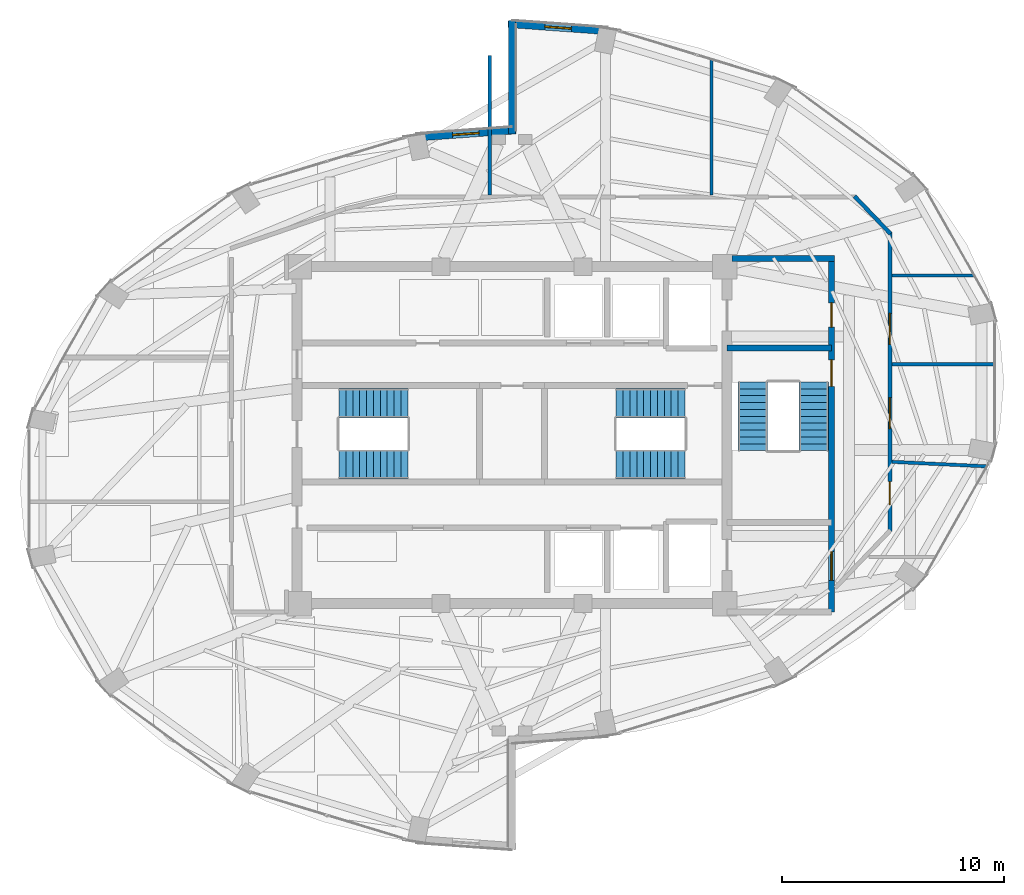
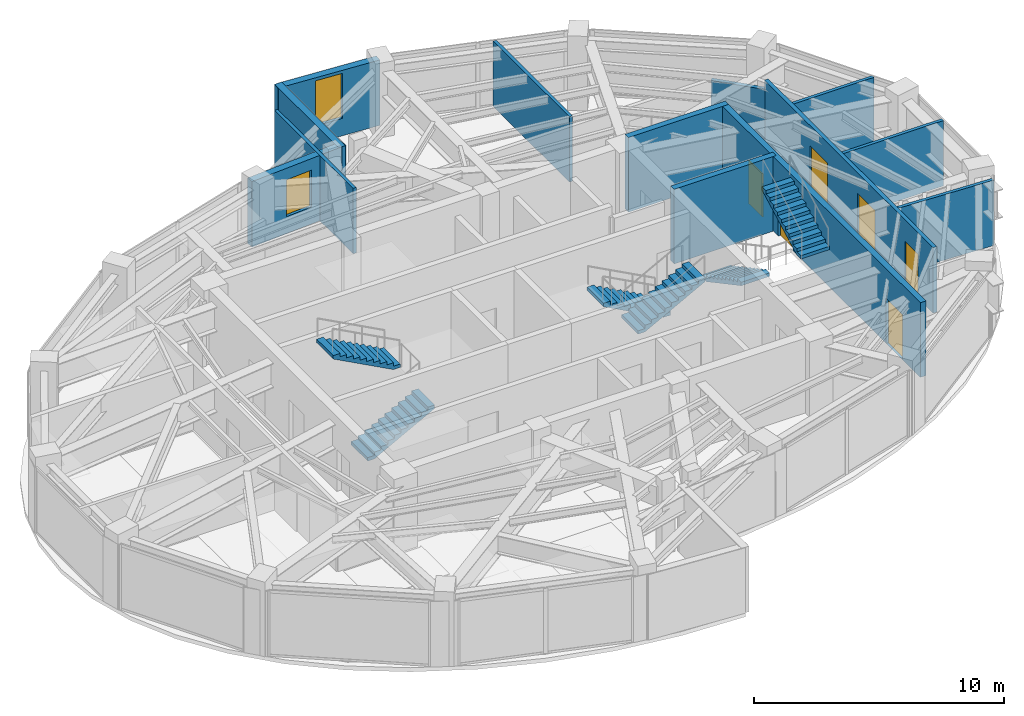
# One storey, part 21 of 23: 13 walls, 6 doors, 6 stair flights, 2 windows, 8 openings, 3 elements without a shape of their own.
"""IFC4 building model written with IfcOpenShell, lengths in metres."""

from ifc_helpers import new_model, si_unit, direction, frame, frame_2d, origin, place, context, subcontext, project, spatial, polyline, rectangle, outline, extrude, material, layer, layer_set, type_object, element, fill, aggregate, save


model = new_model("IFC4")

# Units and contexts
model_context = context("Model", 3, precision=1e-05, world=origin(), true_north=direction((0.0, 1.0)))
body_context = subcontext(model_context, "Body", "Model", "MODEL_VIEW")
ifc_project = project(units=[si_unit("LENGTHUNIT", "METRE"), si_unit("AREAUNIT", "SQUARE_METRE"), si_unit("VOLUMEUNIT", "CUBIC_METRE"), si_unit("PLANEANGLEUNIT", "RADIAN"), si_unit("MASSUNIT", "GRAM", prefix="KILO")], contexts=[model_context])

# Site, building, storey
site_placement = place(None, origin())
site = spatial("IfcSite", under=ifc_project, at=site_placement, CompositionType="ELEMENT")
building_placement = place(site_placement, origin())
building = spatial("IfcBuilding", under=site, at=building_placement, Name="Lazwardi Medical Tower", CompositionType="ELEMENT")
storey_placement = place(building_placement, frame((0.0, 0.0, 265.968017578125)))
storey = spatial("IfcBuildingStorey", under=building, at=storey_placement, Name="L69", CompositionType="ELEMENT", Elevation=265.968017578125)

# Wall
ifc_material_1 = material(Name="Fire-rated gypsum board on steel stud", Category="steel")
ifc_layer_1 = layer(ifc_material_1, 0.179931640625)
ifc_layer_set_1 = layer_set([ifc_layer_1], Name="Fire-rated gypsum board on steel stud")
wall_type_1 = type_object("IfcWallType", Name="WL-COR-180", PredefinedType="PARTITIONING", material=ifc_layer_set_1)
wall_1_placement = place(storey_placement, frame((51.45751953125, 38.77880859375, 0.0), z_axis=(0.0, 0.0, 1.0), x_axis=(0.691359830363, -0.722510612352, 0.0)))
element("IfcWall", 1, at=wall_1_placement, inside=storey, type_object=wall_type_1, Name="L69 Corridor partition 4", PredefinedType="PARTITIONING", context=body_context, shape_type="SweptSolid", body=[
    extrude(rectangle(XDim=2.34326171875, YDim=0.179931640625, at=frame_2d((1.171630859375, 0.0))), origin(), (0.0, 0.0, 1.0), 2.782958984375),
])

# Wall, openings, doors
wall_2_placement = place(storey_placement, frame((53.050048828125, 37.154541015625, 0.0), z_axis=(0.0, 0.0, 1.0), x_axis=(0.0, -1.0, 0.0)))
wall_2 = element("IfcWall", 2, at=wall_2_placement, inside=storey, type_object=wall_type_1, Name="L69 Corridor partition 5", PredefinedType="PARTITIONING", context=body_context, shape_type="SweptSolid", body=[
    extrude(rectangle(XDim=13.509033203125, YDim=0.179931640625, at=frame_2d((6.75439453125, 0.0))), origin(), (0.0, 0.0, 1.0), 3.197998046875),
])
opening_1_placement = place(wall_2_placement, frame((11.24951171875, 0.0, 0.0)))
opening_1 = element("IfcOpeningElement", 3, at=opening_1_placement, cuts=wall_2, Name="Opening D-L69-009", PredefinedType="OPENING", context=body_context, shape_type="SweptSolid", body=[
    extrude(rectangle(XDim=1.050048828125, YDim=2.14990234375, at=frame_2d((0.52490234375, 1.074951171875))), frame((0.0, 0.099853515625, 0.0), z_axis=(0.0, -1.0, 0.0), x_axis=(1.0, 0.0, 0.0)), (0.0, 0.0, 1.0), 0.199951171875),
])
opening_2_placement = place(wall_2_placement, frame((7.45654296875, 0.0, 0.0)))
opening_2 = element("IfcOpeningElement", 4, at=opening_2_placement, cuts=wall_2, Name="Opening D-L69-010", PredefinedType="OPENING", context=body_context, shape_type="SweptSolid", body=[
    extrude(rectangle(XDim=1.39990234375, YDim=2.199951171875, at=frame_2d((0.699951171875, 1.10009765625))), frame((0.0, 0.099853515625, 0.0), z_axis=(0.0, -1.0, 0.0), x_axis=(1.0, 0.0, 0.0)), (0.0, 0.0, 1.0), 0.199951171875),
])
opening_3_placement = place(wall_2_placement, frame((3.654541015625, 0.0, 0.0)))
opening_3 = element("IfcOpeningElement", 5, at=opening_3_placement, cuts=wall_2, Name="Opening D-L69-011", PredefinedType="OPENING", context=body_context, shape_type="SweptSolid", body=[
    extrude(rectangle(XDim=1.39990234375, YDim=2.199951171875, at=frame_2d((0.699951171875, 1.10009765625))), frame((0.0, 0.099853515625, 0.0), z_axis=(0.0, -1.0, 0.0), x_axis=(1.0, 0.0, 0.0)), (0.0, 0.0, 1.0), 0.199951171875),
])
ifc_material_2 = material(Name="Anti-microbial laminate hospital leaf")
door_type_1 = type_object("IfcDoorType", Name="DR-BED-1400", OperationType="NOTDEFINED", PredefinedType="DOOR", material=ifc_material_2)
door_1_placement = place(opening_2_placement, origin())
door_1 = element("IfcDoor", 6, at=door_1_placement, inside=storey, type_object=door_type_1, Name="L69 Department Reception Foyer Door 03", OperationType="SINGLE_SWING_LEFT", OverallHeight=2.199951171875, OverallWidth=1.39990234375, PredefinedType="DOOR", context=body_context, shape_type="SweptSolid", body=[
    extrude(rectangle(XDim=1.39990234375, YDim=2.199951171875, at=frame_2d((0.699951171875, 1.10009765625))), frame((0.0, 0.02490234375, 0.0), z_axis=(0.0, -1.0, 0.0), x_axis=(1.0, 0.0, 0.0)), (0.0, 0.0, 1.0), 0.050048828125),
])
fill(opening_2, door_1)
door_2_placement = place(opening_3_placement, origin())
door_2 = element("IfcDoor", 7, at=door_2_placement, inside=storey, type_object=door_type_1, Name="L69 Rehabilitation Gymnasium Door 04", OperationType="SINGLE_SWING_RIGHT", OverallHeight=2.199951171875, OverallWidth=1.39990234375, PredefinedType="DOOR", context=body_context, shape_type="SweptSolid", body=[
    extrude(rectangle(XDim=1.39990234375, YDim=2.199951171875, at=frame_2d((0.699951171875, 1.10009765625))), frame((0.0, 0.02490234375, 0.0), z_axis=(0.0, -1.0, 0.0), x_axis=(1.0, 0.0, 0.0)), (0.0, 0.0, 1.0), 0.050048828125),
])
fill(opening_3, door_2)
door_type_2 = type_object("IfcDoorType", Name="DR-CLN-1050", OperationType="NOTDEFINED", PredefinedType="DOOR", material=ifc_material_2)
door_3_placement = place(opening_1_placement, origin())
door_3 = element("IfcDoor", 8, at=door_3_placement, inside=storey, type_object=door_type_2, Name="L69 Outpatient Consultation Suite Door 02", OperationType="SINGLE_SWING_RIGHT", OverallHeight=2.14990234375, OverallWidth=1.050048828125, PredefinedType="DOOR", context=body_context, shape_type="SweptSolid", body=[
    extrude(rectangle(XDim=1.050048828125, YDim=2.14990234375, at=frame_2d((0.52490234375, 1.074951171875))), frame((0.0, 0.02490234375, 0.0), z_axis=(0.0, -1.0, 0.0), x_axis=(1.0, 0.0, 0.0)), (0.0, 0.0, 1.0), 0.050048828125),
])
fill(opening_1, door_3)

# Wall, opening, window
ifc_material_3 = material(Name="Precast concrete C45/55", Category="concrete")
ifc_layer_2 = layer(ifc_material_3, 0.320068359375)
ifc_layer_set_2 = layer_set([ifc_layer_2], Name="Precast concrete C45/55")
wall_type_2 = type_object("IfcWallType", Name="WL-IWAN-320", PredefinedType="SOLIDWALL", material=ifc_layer_set_2)
wall_3_placement = place(storey_placement, frame((40.349609375, 46.226318359375, 0.0), z_axis=(0.0, 0.0, 1.0), x_axis=(-0.997409061056, 0.071938619141, 0.0)))
wall_3 = element("IfcWall", 9, at=wall_3_placement, inside=storey, type_object=wall_type_2, Name="L69 Iwan Portal Return Wall NE_ret", PredefinedType="SOLIDWALL", context=body_context, shape_type="SweptSolid", body=[
    extrude(rectangle(XDim=4.540771484375, YDim=0.320068359375, at=frame_2d((2.2705078125, 0.0))), origin(), (0.0, 0.0, 1.0), 3.197998046875),
])
opening_4_placement = place(wall_3_placement, frame((1.67041015625, 0.0, 0.85009765625)))
opening_4 = element("IfcOpeningElement", 10, at=opening_4_placement, cuts=wall_3, Name="Opening WN-01", PredefinedType="OPENING", context=body_context, shape_type="SweptSolid", body=[
    extrude(rectangle(XDim=1.199951171875, YDim=2.199951171875, at=frame_2d((0.60009765625, 1.10009765625))), frame((0.0, 0.169921875, 0.0), z_axis=(0.0, -1.0, 0.0), x_axis=(1.0, 0.0, 0.0)), (0.0, 0.0, 1.0), 0.340087890625),
])
ifc_material_4 = material(Name="Low-e bronze solar control double glazing", Category="glass")
window_type_1 = type_object("IfcWindowType", Name="WIN-IW-1200", PartitioningType="SINGLE_PANEL", PredefinedType="WINDOW", material=ifc_material_4)
window_1_placement = place(opening_4_placement, origin())
window_1 = element("IfcWindow", 11, at=window_1_placement, inside=storey, type_object=window_type_1, Name="L69 Iwan Slot Window NE_ret", OverallHeight=2.199951171875, OverallWidth=1.199951171875, PartitioningType="SINGLE_PANEL", PredefinedType="WINDOW", context=body_context, shape_type="SweptSolid", body=[
    extrude(rectangle(XDim=1.199951171875, YDim=2.199951171875, at=frame_2d((0.60009765625, 1.10009765625))), frame((0.0, 0.030029296875, 0.0), z_axis=(0.0, -1.0, 0.0), x_axis=(1.0, 0.0, 0.0)), (0.0, 0.0, 1.0), 0.06005859375),
])
fill(opening_4, window_1)

wall_4_placement = place(storey_placement, frame((36.17919921875, 41.7529296875, 0.0), z_axis=(0.0, 0.0, 1.0), x_axis=(-0.997408782787, -0.071942477163, 0.0)))
wall_4 = element("IfcWall", 12, at=wall_4_placement, inside=storey, type_object=wall_type_2, Name="L69 Iwan Portal Return Wall NW_ret", PredefinedType="SOLIDWALL", context=body_context, shape_type="SweptSolid", body=[
    extrude(rectangle(XDim=4.54052734375, YDim=0.320068359375, at=frame_2d((2.270263671875, 0.0))), origin(), (0.0, 0.0, 1.0), 3.197998046875),
])
opening_5_placement = place(wall_4_placement, frame((1.67041015625, 0.0, 0.8330078125)))
opening_5 = element("IfcOpeningElement", 13, at=opening_5_placement, cuts=wall_4, Name="Opening WN-04", PredefinedType="OPENING", context=body_context, shape_type="SweptSolid", body=[
    extrude(rectangle(XDim=1.199951171875, YDim=1.800048828125, at=frame_2d((0.60009765625, 0.89990234375))), frame((0.0, 0.169921875, 0.0), z_axis=(0.0, -1.0, 0.0), x_axis=(1.0, 0.0, 0.0)), (0.0, 0.0, 1.0), 0.340087890625),
])
window_type_2 = type_object("IfcWindowType", Name="WIN-DRUM-1200", PartitioningType="SINGLE_PANEL", PredefinedType="WINDOW", material=ifc_material_4)
window_2_placement = place(opening_5_placement, origin())
window_2 = element("IfcWindow", 14, at=window_2_placement, inside=storey, type_object=window_type_2, Name="L69 Iwan Slot Window NW_ret", OverallHeight=1.800048828125, OverallWidth=1.199951171875, PartitioningType="SINGLE_PANEL", PredefinedType="WINDOW", context=body_context, shape_type="SweptSolid", body=[
    extrude(rectangle(XDim=1.199951171875, YDim=1.800048828125, at=frame_2d((0.60009765625, 0.89990234375))), frame((0.0, 0.030029296875, 0.0), z_axis=(0.0, -1.0, 0.0), x_axis=(1.0, 0.0, 0.0)), (0.0, 0.0, 1.0), 0.06005859375),
])
fill(opening_5, window_2)

# Wall
wall_5_placement = place(storey_placement, frame((36.0, 46.699951171875, 0.0), z_axis=(0.0, 0.0, 1.0), x_axis=(0.0, -1.0, 0.0)))
element("IfcWall", 15, at=wall_5_placement, inside=storey, type_object=wall_type_2, Name="L69 Turquoise Tilework Iwan Seam Wall N_seam", PredefinedType="SOLIDWALL", context=body_context, shape_type="SweptSolid", body=[
    extrude(rectangle(XDim=5.119873046875, YDim=0.320068359375, at=frame_2d((2.56005859375, 0.0))), origin(), (0.0, 0.0, 1.0), 3.197998046875),
])

# Wall, openings, doors
ifc_material_5 = material(Name="Concrete C50/60", Category="concrete")
ifc_layer_3 = layer(ifc_material_5, 0.27001953125)
ifc_layer_set_3 = layer_set([ifc_layer_3], Name="Concrete C50/60")
wall_type_3 = type_object("IfcWallType", Name="WL-STR-250", PredefinedType="SHEAR", material=ifc_layer_set_3)
wall_6_placement = place(storey_placement, frame((50.4150390625, 35.844970703125, 0.0), z_axis=(0.0, 0.0, 1.0), x_axis=(0.0, -1.0, 0.0)))
wall_6 = element("IfcWall", 16, at=wall_6_placement, inside=storey, type_object=wall_type_3, Name="L69 East ST3 & FFL shear wall SW-S1", PredefinedType="SHEAR", context=body_context, shape_type="SweptSolid", body=[
    extrude(rectangle(XDim=15.824951171875, YDim=0.27001953125, at=frame_2d((7.91259765625, 0.0))), origin(), (0.0, 0.0, 1.0), 3.64794921875),
])
opening_6_placement = place(wall_6_placement, frame((4.445068359375, 0.0, 0.0)))
opening_6 = element("IfcOpeningElement", 17, at=opening_6_placement, cuts=wall_6, Name="Opening D-L69-018", PredefinedType="OPENING", context=body_context, shape_type="SweptSolid", body=[
    extrude(rectangle(XDim=1.199951171875, YDim=2.14990234375, at=frame_2d((0.60009765625, 1.074951171875))), frame((0.0, 0.14501953125, 0.0), z_axis=(0.0, -1.0, 0.0), x_axis=(1.0, 0.0, 0.0)), (0.0, 0.0, 1.0), 0.2900390625),
])
opening_7_placement = place(wall_6_placement, frame((1.875, 0.0, 0.0)))
opening_7 = element("IfcOpeningElement", 18, at=opening_7_placement, cuts=wall_6, Name="Opening D-L69-004", PredefinedType="OPENING", context=body_context, shape_type="SweptSolid", body=[
    extrude(rectangle(XDim=1.10009765625, YDim=2.1201171875, at=frame_2d((0.550048828125, 1.06005859375))), frame((0.0, 0.14501953125, 0.0), z_axis=(0.0, -1.0, 0.0), x_axis=(1.0, 0.0, 0.0)), (0.0, 0.0, 1.0), 0.2900390625),
])
opening_8_placement = place(wall_6_placement, frame((13.094970703125, 0.0, 0.0)))
opening_8 = element("IfcOpeningElement", 19, at=opening_8_placement, cuts=wall_6, Name="Opening D-L69-005", PredefinedType="OPENING", context=body_context, shape_type="SweptSolid", body=[
    extrude(rectangle(XDim=1.300048828125, YDim=2.199951171875, at=frame_2d((0.64990234375, 1.10009765625))), frame((0.0, 0.14501953125, 0.0), z_axis=(0.0, -1.0, 0.0), x_axis=(1.0, 0.0, 0.0)), (0.0, 0.0, 1.0), 0.2900390625),
])
ifc_material_6 = material(Name="Fire-rated steel leaf and frame", Category="steel")
door_type_3 = type_object("IfcDoorType", Name="DR-FFL-1300", OperationType="NOTDEFINED", PredefinedType="DOOR", material=ifc_material_6)
door_4_placement = place(opening_8_placement, origin())
door_4 = element("IfcDoor", 20, at=door_4_placement, inside=storey, type_object=door_type_3, Name="L69 Fire-Fighting Lobby South Door", OperationType="SINGLE_SWING_RIGHT", OverallHeight=2.199951171875, OverallWidth=1.300048828125, PredefinedType="DOOR", context=body_context, shape_type="SweptSolid", body=[
    extrude(rectangle(XDim=1.300048828125, YDim=2.199951171875, at=frame_2d((0.64990234375, 1.10009765625))), frame((0.0, 0.02490234375, 0.0), z_axis=(0.0, -1.0, 0.0), x_axis=(1.0, 0.0, 0.0)), (0.0, 0.0, 1.0), 0.050048828125),
])
fill(opening_8, door_4)
door_type_4 = type_object("IfcDoorType", Name="DR-PLT-1100", OperationType="NOTDEFINED", PredefinedType="DOOR", material=ifc_material_6)
door_5_placement = place(opening_7_placement, origin())
door_5 = element("IfcDoor", 21, at=door_5_placement, inside=storey, type_object=door_type_4, Name="L69 Fire-Fighting Lobby North Door", OperationType="SINGLE_SWING_LEFT", OverallHeight=2.1201171875, OverallWidth=1.10009765625, PredefinedType="DOOR", context=body_context, shape_type="SweptSolid", body=[
    extrude(rectangle(XDim=1.10009765625, YDim=2.1201171875, at=frame_2d((0.550048828125, 1.06005859375))), frame((0.0, 0.02490234375, 0.0), z_axis=(0.0, -1.0, 0.0), x_axis=(1.0, 0.0, 0.0)), (0.0, 0.0, 1.0), 0.050048828125),
])
fill(opening_7, door_5)
door_type_5 = type_object("IfcDoorType", Name="DR-STR-1200", OperationType="NOTDEFINED", PredefinedType="DOOR", material=ifc_material_6)
door_6_placement = place(opening_6_placement, origin())
door_6 = element("IfcDoor", 22, at=door_6_placement, inside=storey, type_object=door_type_5, Name="L69 Exit Stair ST3 Door", OperationType="SINGLE_SWING_RIGHT", OverallHeight=2.14990234375, OverallWidth=1.199951171875, PredefinedType="DOOR", context=body_context, shape_type="SweptSolid", body=[
    extrude(rectangle(XDim=1.199951171875, YDim=2.14990234375, at=frame_2d((0.60009765625, 1.074951171875))), frame((0.0, 0.02490234375, 0.0), z_axis=(0.0, -1.0, 0.0), x_axis=(1.0, 0.0, 0.0)), (0.0, 0.0, 1.0), 0.050048828125),
])
fill(opening_6, door_6)

# Walls
wall_7_placement = place(storey_placement, frame((45.925048828125, 35.97998046875, 0.0), z_axis=(0.0, 0.0, 1.0), x_axis=(1.0, 0.0, 0.0)))
element("IfcWall", 23, at=wall_7_placement, inside=storey, type_object=wall_type_3, Name="L69 FFL-N North shear wall SW-S1", PredefinedType="SHEAR", context=body_context, shape_type="SweptSolid", body=[
    extrude(rectangle(XDim=4.625, YDim=0.27001953125, at=frame_2d((2.3125, 0.0))), origin(), (0.0, 0.0, 1.0), 3.64794921875),
])
wall_8_placement = place(storey_placement, frame((45.699951171875, 31.93505859375, 0.0), z_axis=(0.0, 0.0, 1.0), x_axis=(1.0, 0.0, 0.0)))
element("IfcWall", 24, at=wall_8_placement, inside=storey, type_object=wall_type_3, Name="L69 ST3 North shear shaft wall SW-S1", PredefinedType="SHEAR", context=body_context, shape_type="SweptSolid", body=[
    extrude(rectangle(XDim=4.715087890625, YDim=0.27001953125, at=frame_2d((2.357421875, 0.0))), origin(), (0.0, 0.0, 1.0), 3.64794921875),
])
ifc_material_7 = material(Name="Acoustic gypsum board partition")
ifc_layer_4 = layer(ifc_material_7, 0.14990234375)
ifc_layer_set_4 = layer_set([ifc_layer_4], Name="Acoustic gypsum board partition")
wall_type_4 = type_object("IfcWallType", Name="WL-WRD-150", PredefinedType="PARTITIONING", material=ifc_layer_set_4)
wall_9_placement = place(storey_placement, frame((53.139892578125, 26.79638671875, 0.0), z_axis=(0.0, 0.0, 1.0), x_axis=(0.998865822675, -0.04761374058, 0.0)))
element("IfcWall", 25, at=wall_9_placement, inside=storey, type_object=wall_type_4, Name="L69 Room partition 4", PredefinedType="PARTITIONING", context=body_context, shape_type="SweptSolid", body=[
    extrude(rectangle(XDim=4.296875, YDim=0.14990234375, at=frame_2d((2.1484375, 0.0))), origin(), (0.0, 0.0, 1.0), 3.197998046875),
])
wall_10_placement = place(storey_placement, frame((53.139892578125, 31.199951171875, 0.0), z_axis=(0.0, 0.0, 1.0), x_axis=(1.0, 0.0, 0.0)))
element("IfcWall", 26, at=wall_10_placement, inside=storey, type_object=wall_type_4, Name="L69 Room partition 5", PredefinedType="PARTITIONING", context=body_context, shape_type="SweptSolid", body=[
    extrude(rectangle(XDim=4.6318359375, YDim=0.14990234375, at=frame_2d((2.31591796875, 0.0))), origin(), (0.0, 0.0, 1.0), 3.197998046875),
])
wall_11_placement = place(storey_placement, frame((53.139892578125, 35.199951171875, 0.0), z_axis=(0.0, 0.0, 1.0), x_axis=(1.0, 0.0, 0.0)))
element("IfcWall", 27, at=wall_11_placement, inside=storey, type_object=wall_type_4, Name="L69 Room partition 6", PredefinedType="PARTITIONING", context=body_context, shape_type="SweptSolid", body=[
    extrude(rectangle(XDim=3.716796875, YDim=0.14990234375, at=frame_2d((1.8583984375, 0.0))), origin(), (0.0, 0.0, 1.0), 3.197998046875),
])
wall_12_placement = place(storey_placement, frame((35.0, 38.840087890625, 0.0), z_axis=(0.0, 0.0, 1.0), x_axis=(0.0, 1.0, 0.0)))
element("IfcWall", 28, at=wall_12_placement, inside=storey, type_object=wall_type_4, Name="L69 Room partition 7", PredefinedType="PARTITIONING", context=body_context, shape_type="SweptSolid", body=[
    extrude(rectangle(XDim=6.284423828125, YDim=0.14990234375, at=frame_2d((3.14208984375, 0.0))), origin(), (0.0, 0.0, 1.0), 3.197998046875),
])
wall_13_placement = place(storey_placement, frame((45.0, 38.840087890625, 0.0), z_axis=(0.0, 0.0, 1.0), x_axis=(0.0, 1.0, 0.0)))
element("IfcWall", 29, at=wall_13_placement, inside=storey, type_object=wall_type_4, Name="L69 Room partition 8", PredefinedType="PARTITIONING", context=body_context, shape_type="SweptSolid", body=[
    extrude(rectangle(XDim=6.0966796875, YDim=0.14990234375, at=frame_2d((3.04833984375, 0.0))), origin(), (0.0, 0.0, 1.0), 3.197998046875),
])

# Stair, stair flights
ifc_material_8 = material(Name="Concrete C45/55", Category="concrete")
stair_type = type_object("IfcStairType", Name="STR-WRD", PredefinedType="HALF_TURN_STAIR", material=ifc_material_8)
stair_1_placement = place(storey_placement, origin())
stair_1 = element("IfcStair", 30, at=stair_1_placement, inside=storey, type_object=stair_type, Name="L69 Protected Exit Stair ST1", PredefinedType="HALF_TURN_STAIR")
stair_flight_type = type_object("IfcStairFlightType", Name="FLT-WRD", PredefinedType="STRAIGHT", material=ifc_material_8)
stair_flight_1_placement = place(storey_placement, frame((28.199951171875, 26.679931640625, 0.0), z_axis=(0.0, 0.0, 1.0), x_axis=(1.0, 0.0, 0.0)))
stair_flight_1 = element("IfcStairFlight", 31, at=stair_flight_1_placement, type_object=stair_flight_type, Name="ST1 flight 1", NumberOfRisers=11, NumberOfTreads=10, PredefinedType="STRAIGHT", RiserHeight=0.165818182, TreadLength=0.31, context=body_context, shape_type="SweptSolid", body=[
    extrude(outline(polyline([(0.0, 0.0), (0.0, 0.165771484375), (0.31005859375, 0.165771484375), (0.31005859375, 0.33154296875), (0.6201171875, 0.33154296875), (0.6201171875, 0.49755859375), (0.929931640625, 0.49755859375), (0.929931640625, 0.663330078125), (1.239990234375, 0.663330078125), (1.239990234375, 0.8291015625), (1.550048828125, 0.8291015625), (1.550048828125, 0.994873046875), (1.860107421875, 0.994873046875), (1.860107421875, 1.16064453125), (2.169921875, 1.16064453125), (2.169921875, 1.32666015625), (2.47998046875, 1.32666015625), (2.47998046875, 1.492431640625), (2.7900390625, 1.492431640625), (2.7900390625, 1.658203125), (3.10009765625, 1.658203125), (3.10009765625, 1.823974609375), (3.10009765625, 1.48828125), (0.31787109375, 0.0), (0.0, 0.0)])), frame((0.0, 0.66015625, 0.0), z_axis=(0.0, -1.0, 0.0), x_axis=(1.0, 0.0, 0.0)), (0.0, 0.0, 1.0), 1.320068359375),
])
stair_flight_2_placement = place(storey_placement, frame((31.300048828125, 29.43994140625, 1.823974609375), z_axis=(0.0, 0.0, 1.0), x_axis=(-1.0, 0.0, 0.0)))
stair_flight_2 = element("IfcStairFlight", 32, at=stair_flight_2_placement, type_object=stair_flight_type, Name="ST1 flight 2", NumberOfRisers=11, NumberOfTreads=10, PredefinedType="STRAIGHT", RiserHeight=0.165818182, TreadLength=0.31, context=body_context, shape_type="SweptSolid", body=[
    extrude(outline(polyline([(0.0, 0.0), (0.0, 0.165771484375), (0.31005859375, 0.165771484375), (0.31005859375, 0.33154296875), (0.6201171875, 0.33154296875), (0.6201171875, 0.49755859375), (0.929931640625, 0.49755859375), (0.929931640625, 0.663330078125), (1.239990234375, 0.663330078125), (1.239990234375, 0.8291015625), (1.550048828125, 0.8291015625), (1.550048828125, 0.994873046875), (1.860107421875, 0.994873046875), (1.860107421875, 1.16064453125), (2.169921875, 1.16064453125), (2.169921875, 1.32666015625), (2.47998046875, 1.32666015625), (2.47998046875, 1.492431640625), (2.7900390625, 1.492431640625), (2.7900390625, 1.658203125), (3.10009765625, 1.658203125), (3.10009765625, 1.823974609375), (3.10009765625, 1.48828125), (0.31787109375, 0.0), (0.0, 0.0)])), frame((0.0, 0.66015625, 0.0), z_axis=(0.0, -1.0, 0.0), x_axis=(1.0, 0.0, 0.0)), (0.0, 0.0, 1.0), 1.320068359375),
])
aggregate(stair_1, [stair_flight_1, stair_flight_2])

stair_2_placement = place(storey_placement, origin())
stair_2 = element("IfcStair", 33, at=stair_2_placement, inside=storey, type_object=stair_type, Name="L69 Protected Exit Stair ST2", PredefinedType="HALF_TURN_STAIR")
stair_flight_3_placement = place(storey_placement, frame((43.800048828125, 29.43994140625, 0.0), z_axis=(0.0, 0.0, 1.0), x_axis=(-1.0, 0.0, 0.0)))
stair_flight_3 = element("IfcStairFlight", 34, at=stair_flight_3_placement, type_object=stair_flight_type, Name="ST2 flight 1", NumberOfRisers=11, NumberOfTreads=10, PredefinedType="STRAIGHT", RiserHeight=0.165818182, TreadLength=0.31, context=body_context, shape_type="SweptSolid", body=[
    extrude(outline(polyline([(0.0, 0.0), (0.0, 0.165771484375), (0.31005859375, 0.165771484375), (0.31005859375, 0.33154296875), (0.6201171875, 0.33154296875), (0.6201171875, 0.49755859375), (0.929931640625, 0.49755859375), (0.929931640625, 0.663330078125), (1.239990234375, 0.663330078125), (1.239990234375, 0.8291015625), (1.550048828125, 0.8291015625), (1.550048828125, 0.994873046875), (1.860107421875, 0.994873046875), (1.860107421875, 1.16064453125), (2.169921875, 1.16064453125), (2.169921875, 1.32666015625), (2.47998046875, 1.32666015625), (2.47998046875, 1.492431640625), (2.7900390625, 1.492431640625), (2.7900390625, 1.658203125), (3.10009765625, 1.658203125), (3.10009765625, 1.823974609375), (3.10009765625, 1.48828125), (0.31787109375, 0.0), (0.0, 0.0)])), frame((0.0, 0.66015625, 0.0), z_axis=(0.0, -1.0, 0.0), x_axis=(1.0, 0.0, 0.0)), (0.0, 0.0, 1.0), 1.320068359375),
])
stair_flight_4_placement = place(storey_placement, frame((40.699951171875, 26.679931640625, 1.823974609375), z_axis=(0.0, 0.0, 1.0), x_axis=(1.0, 0.0, 0.0)))
stair_flight_4 = element("IfcStairFlight", 35, at=stair_flight_4_placement, type_object=stair_flight_type, Name="ST2 flight 2", NumberOfRisers=11, NumberOfTreads=10, PredefinedType="STRAIGHT", RiserHeight=0.165818182, TreadLength=0.31, context=body_context, shape_type="SweptSolid", body=[
    extrude(outline(polyline([(0.0, 0.0), (0.0, 0.165771484375), (0.31005859375, 0.165771484375), (0.31005859375, 0.33154296875), (0.6201171875, 0.33154296875), (0.6201171875, 0.49755859375), (0.929931640625, 0.49755859375), (0.929931640625, 0.663330078125), (1.239990234375, 0.663330078125), (1.239990234375, 0.8291015625), (1.550048828125, 0.8291015625), (1.550048828125, 0.994873046875), (1.860107421875, 0.994873046875), (1.860107421875, 1.16064453125), (2.169921875, 1.16064453125), (2.169921875, 1.32666015625), (2.47998046875, 1.32666015625), (2.47998046875, 1.492431640625), (2.7900390625, 1.492431640625), (2.7900390625, 1.658203125), (3.10009765625, 1.658203125), (3.10009765625, 1.823974609375), (3.10009765625, 1.48828125), (0.31787109375, 0.0), (0.0, 0.0)])), frame((0.0, 0.66015625, 0.0), z_axis=(0.0, -1.0, 0.0), x_axis=(1.0, 0.0, 0.0)), (0.0, 0.0, 1.0), 1.320068359375),
])
aggregate(stair_2, [stair_flight_3, stair_flight_4])

stair_3_placement = place(storey_placement, origin())
stair_3 = element("IfcStair", 36, at=stair_3_placement, inside=storey, type_object=stair_type, Name="L69 Protected Exit Stair ST3", PredefinedType="HALF_TURN_STAIR")
stair_flight_5_placement = place(storey_placement, frame((46.860107421875, 30.39990234375, 0.0), z_axis=(0.0, 0.0, 1.0), x_axis=(0.0, -1.0, 0.0)))
stair_flight_5 = element("IfcStairFlight", 37, at=stair_flight_5_placement, type_object=stair_flight_type, Name="ST3 flight 1", NumberOfRisers=11, NumberOfTreads=10, PredefinedType="STRAIGHT", RiserHeight=0.165818182, TreadLength=0.31, context=body_context, shape_type="SweptSolid", body=[
    extrude(outline(polyline([(0.0, 0.0), (0.0, 0.165771484375), (0.31005859375, 0.165771484375), (0.31005859375, 0.33154296875), (0.6201171875, 0.33154296875), (0.6201171875, 0.49755859375), (0.929931640625, 0.49755859375), (0.929931640625, 0.663330078125), (1.239990234375, 0.663330078125), (1.239990234375, 0.8291015625), (1.550048828125, 0.8291015625), (1.550048828125, 0.994873046875), (1.860107421875, 0.994873046875), (1.860107421875, 1.16064453125), (2.169921875, 1.16064453125), (2.169921875, 1.32666015625), (2.47998046875, 1.32666015625), (2.47998046875, 1.492431640625), (2.7900390625, 1.492431640625), (2.7900390625, 1.658203125), (3.10009765625, 1.658203125), (3.10009765625, 1.823974609375), (3.10009765625, 1.48828125), (0.31787109375, 0.0), (0.0, 0.0)])), frame((0.0, 0.66015625, 0.0), z_axis=(0.0, -1.0, 0.0), x_axis=(1.0, 0.0, 0.0)), (0.0, 0.0, 1.0), 1.320068359375),
])
stair_flight_6_placement = place(storey_placement, frame((49.6201171875, 27.300048828125, 1.823974609375), z_axis=(0.0, 0.0, 1.0), x_axis=(0.0, 1.0, 0.0)))
stair_flight_6 = element("IfcStairFlight", 38, at=stair_flight_6_placement, type_object=stair_flight_type, Name="ST3 flight 2", NumberOfRisers=11, NumberOfTreads=10, PredefinedType="STRAIGHT", RiserHeight=0.165818182, TreadLength=0.31, context=body_context, shape_type="SweptSolid", body=[
    extrude(outline(polyline([(0.0, 0.0), (0.0, 0.165771484375), (0.31005859375, 0.165771484375), (0.31005859375, 0.33154296875), (0.6201171875, 0.33154296875), (0.6201171875, 0.49755859375), (0.929931640625, 0.49755859375), (0.929931640625, 0.663330078125), (1.239990234375, 0.663330078125), (1.239990234375, 0.8291015625), (1.550048828125, 0.8291015625), (1.550048828125, 0.994873046875), (1.860107421875, 0.994873046875), (1.860107421875, 1.16064453125), (2.169921875, 1.16064453125), (2.169921875, 1.32666015625), (2.47998046875, 1.32666015625), (2.47998046875, 1.492431640625), (2.7900390625, 1.492431640625), (2.7900390625, 1.658203125), (3.10009765625, 1.658203125), (3.10009765625, 1.823974609375), (3.10009765625, 1.48828125), (0.31787109375, 0.0), (0.0, 0.0)])), frame((0.0, 0.66015625, 0.0), z_axis=(0.0, -1.0, 0.0), x_axis=(1.0, 0.0, 0.0)), (0.0, 0.0, 1.0), 1.320068359375),
])
aggregate(stair_3, [stair_flight_5, stair_flight_6])

save(model, "model.ifc")
